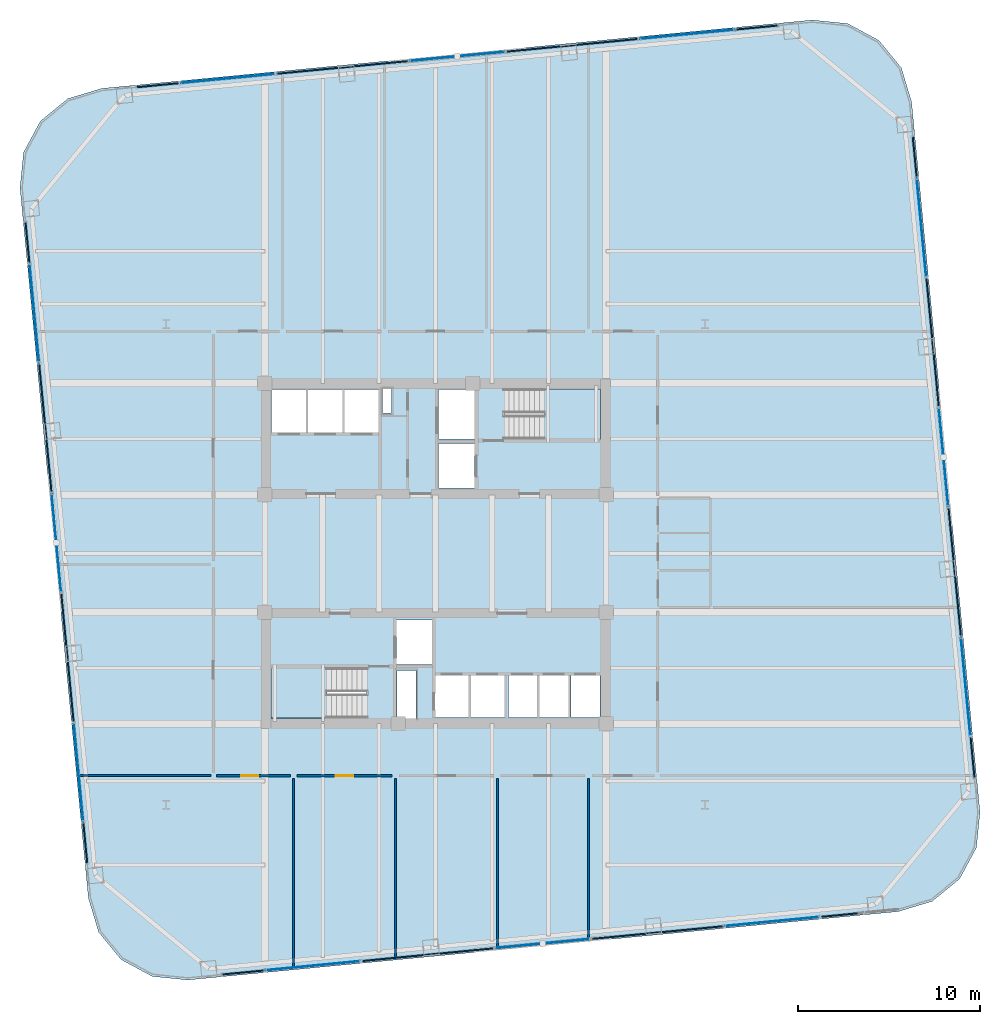
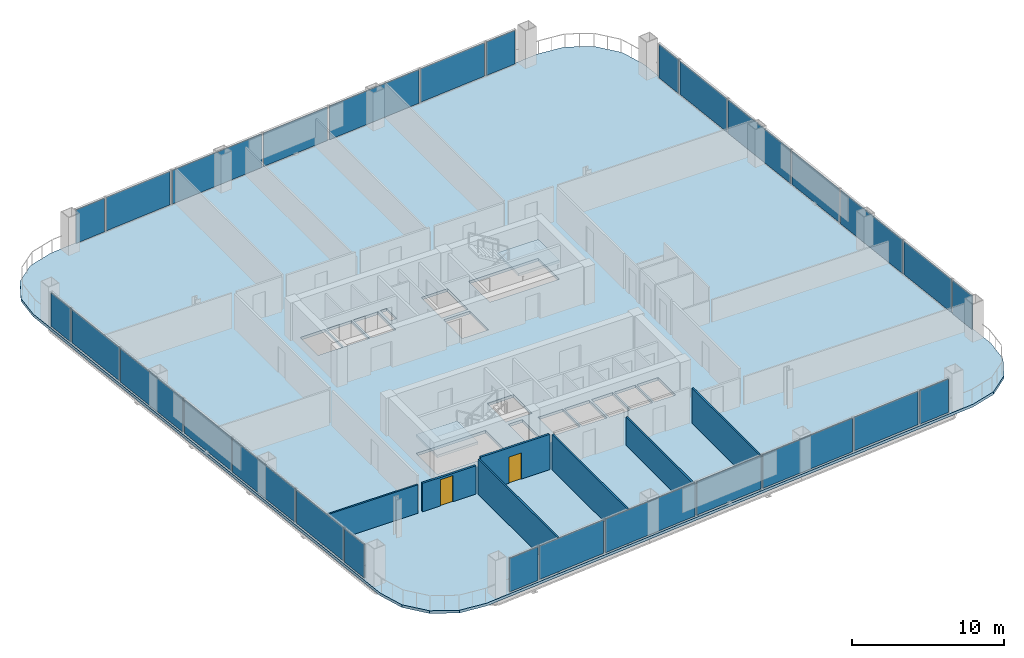
# One storey, part 21 of 27: 28 plates, 7 walls, 3 slabs, 2 doors, 2 openings, 30 elements without a shape of their own.
"""IFC4 building model written with IfcOpenShell, lengths in metres."""

from ifc_helpers import new_model, si_unit, direction, frame, frame_2d, origin, origin_2d, place, context, subcontext, project, spatial, polyline, rectangle, outline, extrude, material, layer, layer_set, type_object, element, fill, aggregate, save


model = new_model("IFC4")

# Units and contexts
model_context = context("Model", 3, precision=1e-05, world=origin(), true_north=direction((0.0, 1.0)))
body_context = subcontext(model_context, "Body", "Model", "MODEL_VIEW")
ifc_project = project(units=[si_unit("LENGTHUNIT", "METRE"), si_unit("AREAUNIT", "SQUARE_METRE"), si_unit("VOLUMEUNIT", "CUBIC_METRE"), si_unit("PLANEANGLEUNIT", "RADIAN"), si_unit("MASSUNIT", "GRAM", prefix="KILO")], contexts=[model_context])

# Site, building, storey
site_placement = place(None, origin())
site = spatial("IfcSite", under=ifc_project, at=site_placement, CompositionType="ELEMENT")
building_placement = place(site_placement, origin())
building = spatial("IfcBuilding", under=site, at=building_placement, Name="Qhalaya Broadcast Tower", CompositionType="ELEMENT")
storey_placement = place(building_placement, frame((0.0, 0.0, 84.699951171875)))
storey = spatial("IfcBuildingStorey", under=building, at=storey_placement, Name="L24", CompositionType="ELEMENT", Elevation=84.699951171875)

# Curtain wall, plate
ifc_material_1 = material(Name="Fired Architectural Terracotta", Category="masonry")
ifc_layer_1 = layer(ifc_material_1, 0.219970703125, Name="Fired Architectural Terracotta")
ifc_layer_set_1 = layer_set([ifc_layer_1], Name="Fired Architectural Terracotta")
curtain_wall_type_1 = type_object("IfcCurtainWallType", Name="Block-Cap Unitised Terracotta Spandrel Wall CW-07", PredefinedType="NOTDEFINED", material=ifc_layer_set_1)
curtain_wall_1_placement = place(storey_placement, origin())
curtain_wall_1 = element("IfcCurtainWall", 1, at=curtain_wall_1_placement, inside=storey, type_object=curtain_wall_type_1, Name="L24 Unitised Curtain Wall L24-CW-S1", PredefinedType="NOTDEFINED")
ifc_layer_2 = layer(ifc_material_1, 0.080078125, Name="Fired Architectural Terracotta")
ifc_layer_set_2 = layer_set([ifc_layer_2], Name="Fired Architectural Terracotta")
plate_type_1 = type_object("IfcPlateType", Name="Insulated Terracotta Spandrel Panel TSP-07", PredefinedType="CURTAIN_PANEL", material=ifc_layer_set_2)
plate_1_placement = place(storey_placement, frame((-10.572021484375, -22.412109375, 0.0751953125), z_axis=(0.0, 0.0, 1.0), x_axis=(0.99539620774, 0.09584565518, 0.0)))
plate_1 = element("IfcPlate", 2, at=plate_1_placement, type_object=plate_type_1, Name="CW-07 panel 1.1", PredefinedType="CURTAIN_PANEL", context=body_context, shape_type="SweptSolid", body=[
    extrude(rectangle(XDim=2.281005859375, YDim=0.080078125, at=origin_2d()), origin(), (0.0, 0.0, 1.0), 2.679931640625),
])
aggregate(curtain_wall_1, [plate_1])

curtain_wall_2_placement = place(storey_placement, origin())
curtain_wall_2 = element("IfcCurtainWall", 3, at=curtain_wall_2_placement, inside=storey, type_object=curtain_wall_type_1, Name="L24 Unitised Curtain Wall L24-CW-S3", PredefinedType="NOTDEFINED")
plate_2_placement = place(storey_placement, frame((-0.41796875, -21.434326171875, 0.0751953125), z_axis=(0.0, 0.0, 1.0), x_axis=(0.995396450907, 0.095843129762, 0.0)))
plate_2 = element("IfcPlate", 4, at=plate_2_placement, type_object=plate_type_1, Name="CW-07 panel 1.1", PredefinedType="CURTAIN_PANEL", context=body_context, shape_type="SweptSolid", body=[
    extrude(rectangle(XDim=7.2109375, YDim=0.080078125, at=origin_2d()), origin(), (0.0, 0.0, 1.0), 2.679931640625),
])
aggregate(curtain_wall_2, [plate_2])

curtain_wall_3_placement = place(storey_placement, origin())
curtain_wall_3 = element("IfcCurtainWall", 5, at=curtain_wall_3_placement, inside=storey, type_object=curtain_wall_type_1, Name="L24 Unitised Curtain Wall L24-CW-S5", PredefinedType="NOTDEFINED")
plate_3_placement = place(storey_placement, frame((12.190673828125, -20.22021484375, 0.0751953125), z_axis=(0.0, 0.0, 1.0), x_axis=(0.995396450907, 0.095843129762, 0.0)))
plate_3 = element("IfcPlate", 6, at=plate_3_placement, type_object=plate_type_1, Name="CW-07 panel 1.1", PredefinedType="CURTAIN_PANEL", context=body_context, shape_type="SweptSolid", body=[
    extrude(rectangle(XDim=7.2109375, YDim=0.080078125, at=origin_2d()), origin(), (0.0, 0.0, 1.0), 2.679931640625),
])
aggregate(curtain_wall_3, [plate_3])

curtain_wall_4_placement = place(storey_placement, origin())
curtain_wall_4 = element("IfcCurtainWall", 7, at=curtain_wall_4_placement, inside=storey, type_object=curtain_wall_type_1, Name="L24 Unitised Curtain Wall L24-CW-S7", PredefinedType="NOTDEFINED")
plate_4_placement = place(storey_placement, frame((22.3447265625, -19.242431640625, 0.0751953125), z_axis=(0.0, 0.0, 1.0), x_axis=(0.99539620774, 0.09584565518, 0.0)))
plate_4 = element("IfcPlate", 8, at=plate_4_placement, type_object=plate_type_1, Name="CW-07 panel 1.1", PredefinedType="CURTAIN_PANEL", context=body_context, shape_type="SweptSolid", body=[
    extrude(rectangle(XDim=2.281005859375, YDim=0.080078125, at=origin_2d()), origin(), (0.0, 0.0, 1.0), 2.679931640625),
])
aggregate(curtain_wall_4, [plate_4])

curtain_wall_5_placement = place(storey_placement, origin())
curtain_wall_5 = element("IfcCurtainWall", 9, at=curtain_wall_5_placement, inside=storey, type_object=curtain_wall_type_1, Name="L24 Unitised Curtain Wall L24-CW-E1", PredefinedType="NOTDEFINED")
plate_5_placement = place(storey_placement, frame((29.496337890625, -10.617431640625, 0.0751953125), z_axis=(0.0, 0.0, 1.0), x_axis=(-0.095855723819, 0.99539523819, 0.0)))
plate_5 = element("IfcPlate", 10, at=plate_5_placement, type_object=plate_type_1, Name="CW-07 panel 1.1", PredefinedType="CURTAIN_PANEL", context=body_context, shape_type="SweptSolid", body=[
    extrude(rectangle(XDim=2.18994140625, YDim=0.080078125, at=origin_2d()), origin(), (0.0, 0.0, 1.0), 2.679931640625),
])
aggregate(curtain_wall_5, [plate_5])

curtain_wall_6_placement = place(storey_placement, origin())
curtain_wall_6 = element("IfcCurtainWall", 11, at=curtain_wall_6_placement, inside=storey, type_object=curtain_wall_type_1, Name="L24 Unitised Curtain Wall L24-CW-E3", PredefinedType="NOTDEFINED")
plate_6_placement = place(storey_placement, frame((28.514404296875, -0.41796875, 0.0751953125), z_axis=(0.0, 0.0, 1.0), x_axis=(-0.095850652435, 0.995395726547, 0.0)))
plate_6 = element("IfcPlate", 12, at=plate_6_placement, type_object=plate_type_1, Name="CW-07 panel 1.1", PredefinedType="CURTAIN_PANEL", context=body_context, shape_type="SweptSolid", body=[
    extrude(rectangle(XDim=7.031005859375, YDim=0.080078125, at=origin_2d()), origin(), (0.0, 0.0, 1.0), 2.679931640625),
])
aggregate(curtain_wall_6, [plate_6])

curtain_wall_7_placement = place(storey_placement, origin())
curtain_wall_7 = element("IfcCurtainWall", 13, at=curtain_wall_7_placement, inside=storey, type_object=curtain_wall_type_1, Name="L24 Unitised Curtain Wall L24-CW-E5", PredefinedType="NOTDEFINED")
plate_7_placement = place(storey_placement, frame((27.30029296875, 12.190673828125, 0.0751953125), z_axis=(0.0, 0.0, 1.0), x_axis=(-0.095850652435, 0.995395726547, 0.0)))
plate_7 = element("IfcPlate", 14, at=plate_7_placement, type_object=plate_type_1, Name="CW-07 panel 1.1", PredefinedType="CURTAIN_PANEL", context=body_context, shape_type="SweptSolid", body=[
    extrude(rectangle(XDim=7.031005859375, YDim=0.080078125, at=origin_2d()), origin(), (0.0, 0.0, 1.0), 2.679931640625),
])
aggregate(curtain_wall_7, [plate_7])

curtain_wall_8_placement = place(storey_placement, origin())
curtain_wall_8 = element("IfcCurtainWall", 15, at=curtain_wall_8_placement, inside=storey, type_object=curtain_wall_type_1, Name="L24 Unitised Curtain Wall L24-CW-E7", PredefinedType="NOTDEFINED")
plate_8_placement = place(storey_placement, frame((26.318115234375, 22.389892578125, 0.0751953125), z_axis=(0.0, 0.0, 1.0), x_axis=(-0.09585164641, 0.995395630832, 0.0)))
plate_8 = element("IfcPlate", 16, at=plate_8_placement, type_object=plate_type_1, Name="CW-07 panel 1.1", PredefinedType="CURTAIN_PANEL", context=body_context, shape_type="SweptSolid", body=[
    extrude(rectangle(XDim=2.190185546875, YDim=0.080078125, at=origin_2d()), origin(), (0.0, 0.0, 1.0), 2.679931640625),
])
aggregate(curtain_wall_8, [plate_8])

curtain_wall_9_placement = place(storey_placement, origin())
curtain_wall_9 = element("IfcCurtainWall", 17, at=curtain_wall_9_placement, inside=storey, type_object=curtain_wall_type_1, Name="L24 Unitised Curtain Wall L24-CW-N1", PredefinedType="NOTDEFINED")
plate_9_placement = place(storey_placement, frame((17.652099609375, 29.4921875, 0.0751953125), z_axis=(0.0, 0.0, 1.0), x_axis=(-0.99539620774, -0.09584565518, 0.0)))
plate_9 = element("IfcPlate", 18, at=plate_9_placement, type_object=plate_type_1, Name="CW-07 panel 1.1", PredefinedType="CURTAIN_PANEL", context=body_context, shape_type="SweptSolid", body=[
    extrude(rectangle(XDim=2.281005859375, YDim=0.080078125, at=origin_2d()), origin(), (0.0, 0.0, 1.0), 2.679931640625),
])
aggregate(curtain_wall_9, [plate_9])

curtain_wall_10_placement = place(storey_placement, origin())
curtain_wall_10 = element("IfcCurtainWall", 19, at=curtain_wall_10_placement, inside=storey, type_object=curtain_wall_type_1, Name="L24 Unitised Curtain Wall L24-CW-N3", PredefinedType="NOTDEFINED")
plate_10_placement = place(storey_placement, frame((7.498046875, 28.514404296875, 0.0751953125), z_axis=(0.0, 0.0, 1.0), x_axis=(-0.995396450907, -0.095843129762, 0.0)))
plate_10 = element("IfcPlate", 20, at=plate_10_placement, type_object=plate_type_1, Name="CW-07 panel 1.1", PredefinedType="CURTAIN_PANEL", context=body_context, shape_type="SweptSolid", body=[
    extrude(rectangle(XDim=7.2109375, YDim=0.080078125, at=origin_2d()), origin(), (0.0, 0.0, 1.0), 2.679931640625),
])
aggregate(curtain_wall_10, [plate_10])

curtain_wall_11_placement = place(storey_placement, origin())
curtain_wall_11 = element("IfcCurtainWall", 21, at=curtain_wall_11_placement, inside=storey, type_object=curtain_wall_type_1, Name="L24 Unitised Curtain Wall L24-CW-N5", PredefinedType="NOTDEFINED")
plate_11_placement = place(storey_placement, frame((-5.110595703125, 27.30029296875, 0.0751953125), z_axis=(0.0, 0.0, 1.0), x_axis=(-0.995396450907, -0.095843129762, 0.0)))
plate_11 = element("IfcPlate", 22, at=plate_11_placement, type_object=plate_type_1, Name="CW-07 panel 1.1", PredefinedType="CURTAIN_PANEL", context=body_context, shape_type="SweptSolid", body=[
    extrude(rectangle(XDim=7.2109375, YDim=0.080078125, at=origin_2d()), origin(), (0.0, 0.0, 1.0), 2.679931640625),
])
aggregate(curtain_wall_11, [plate_11])

curtain_wall_12_placement = place(storey_placement, origin())
curtain_wall_12 = element("IfcCurtainWall", 23, at=curtain_wall_12_placement, inside=storey, type_object=curtain_wall_type_1, Name="L24 Unitised Curtain Wall L24-CW-N7", PredefinedType="NOTDEFINED")
plate_12_placement = place(storey_placement, frame((-15.2646484375, 26.322509765625, 0.0751953125), z_axis=(0.0, 0.0, 1.0), x_axis=(-0.99539620774, -0.09584565518, 0.0)))
plate_12 = element("IfcPlate", 24, at=plate_12_placement, type_object=plate_type_1, Name="CW-07 panel 1.1", PredefinedType="CURTAIN_PANEL", context=body_context, shape_type="SweptSolid", body=[
    extrude(rectangle(XDim=2.281005859375, YDim=0.080078125, at=origin_2d()), origin(), (0.0, 0.0, 1.0), 2.679931640625),
])
aggregate(curtain_wall_12, [plate_12])

curtain_wall_13_placement = place(storey_placement, origin())
curtain_wall_13 = element("IfcCurtainWall", 25, at=curtain_wall_13_placement, inside=storey, type_object=curtain_wall_type_1, Name="L24 Unitised Curtain Wall L24-CW-W1", PredefinedType="NOTDEFINED")
plate_13_placement = place(storey_placement, frame((-22.41650390625, 17.697509765625, 0.0751953125), z_axis=(0.0, 0.0, 1.0), x_axis=(0.095855723819, -0.99539523819, 0.0)))
plate_13 = element("IfcPlate", 26, at=plate_13_placement, type_object=plate_type_1, Name="CW-07 panel 1.1", PredefinedType="CURTAIN_PANEL", context=body_context, shape_type="SweptSolid", body=[
    extrude(rectangle(XDim=2.18994140625, YDim=0.080078125, at=origin_2d()), origin(), (0.0, 0.0, 1.0), 2.679931640625),
])
aggregate(curtain_wall_13, [plate_13])

curtain_wall_14_placement = place(storey_placement, origin())
curtain_wall_14 = element("IfcCurtainWall", 27, at=curtain_wall_14_placement, inside=storey, type_object=curtain_wall_type_1, Name="L24 Unitised Curtain Wall L24-CW-W3", PredefinedType="NOTDEFINED")
plate_14_placement = place(storey_placement, frame((-21.434326171875, 7.498046875, 0.0751953125), z_axis=(0.0, 0.0, 1.0), x_axis=(0.095850652435, -0.995395726547, 0.0)))
plate_14 = element("IfcPlate", 28, at=plate_14_placement, type_object=plate_type_1, Name="CW-07 panel 1.1", PredefinedType="CURTAIN_PANEL", context=body_context, shape_type="SweptSolid", body=[
    extrude(rectangle(XDim=7.031005859375, YDim=0.080078125, at=origin_2d()), origin(), (0.0, 0.0, 1.0), 2.679931640625),
])
aggregate(curtain_wall_14, [plate_14])

curtain_wall_15_placement = place(storey_placement, origin())
curtain_wall_15 = element("IfcCurtainWall", 29, at=curtain_wall_15_placement, inside=storey, type_object=curtain_wall_type_1, Name="L24 Unitised Curtain Wall L24-CW-W5", PredefinedType="NOTDEFINED")
plate_15_placement = place(storey_placement, frame((-20.22021484375, -5.110595703125, 0.0751953125), z_axis=(0.0, 0.0, 1.0), x_axis=(0.095850652435, -0.995395726547, 0.0)))
plate_15 = element("IfcPlate", 30, at=plate_15_placement, type_object=plate_type_1, Name="CW-07 panel 1.1", PredefinedType="CURTAIN_PANEL", context=body_context, shape_type="SweptSolid", body=[
    extrude(rectangle(XDim=7.031005859375, YDim=0.080078125, at=origin_2d()), origin(), (0.0, 0.0, 1.0), 2.679931640625),
])
aggregate(curtain_wall_15, [plate_15])

curtain_wall_16_placement = place(storey_placement, origin())
curtain_wall_16 = element("IfcCurtainWall", 31, at=curtain_wall_16_placement, inside=storey, type_object=curtain_wall_type_1, Name="L24 Unitised Curtain Wall L24-CW-W7", PredefinedType="NOTDEFINED")
plate_16_placement = place(storey_placement, frame((-19.238037109375, -15.31005859375, 0.0751953125), z_axis=(0.0, 0.0, 1.0), x_axis=(0.09585164641, -0.995395630832, 0.0)))
plate_16 = element("IfcPlate", 32, at=plate_16_placement, type_object=plate_type_1, Name="CW-07 panel 1.1", PredefinedType="CURTAIN_PANEL", context=body_context, shape_type="SweptSolid", body=[
    extrude(rectangle(XDim=2.190185546875, YDim=0.080078125, at=origin_2d()), origin(), (0.0, 0.0, 1.0), 2.679931640625),
])
aggregate(curtain_wall_16, [plate_16])

ifc_material_2 = material(Name="Solar-Control Low-E Triple Glazing", Category="glass")
ifc_layer_3 = layer(ifc_material_2, 0.219970703125, Name="Solar-Control Low-E Triple Glazing")
ifc_layer_set_3 = layer_set([ifc_layer_3], Name="Solar-Control Low-E Triple Glazing")
curtain_wall_type_2 = type_object("IfcCurtainWallType", Name="Even-Block 4-Storey Double-Module Curtain Wall CW-03", PredefinedType="NOTDEFINED", material=ifc_layer_set_3)
curtain_wall_17_placement = place(storey_placement, origin())
curtain_wall_17 = element("IfcCurtainWall", 33, at=curtain_wall_17_placement, inside=storey, type_object=curtain_wall_type_2, Name="L24 Unitised Curtain Wall L24-CW-S2", PredefinedType="NOTDEFINED")
ifc_layer_4 = layer(ifc_material_2, 0.035888671875, Name="Solar-Control Low-E Triple Glazing")
ifc_layer_set_4 = layer_set([ifc_layer_4], Name="Solar-Control Low-E Triple Glazing")
plate_type_2 = type_object("IfcPlateType", Name="Solar-Control Curtain Glazing Panel GLP-03", PredefinedType="CURTAIN_PANEL", material=ifc_layer_set_4)
plate_17_placement = place(storey_placement, frame((-6.721923828125, -22.041259765625, 0.0751953125), z_axis=(0.0, 0.0, 1.0), x_axis=(0.995395549991, 0.095852485923, 0.0)))
plate_17 = element("IfcPlate", 34, at=plate_17_placement, type_object=plate_type_2, Name="CW-03 panel 1.1", PredefinedType="CURTAIN_PANEL", context=body_context, shape_type="SweptSolid", body=[
    extrude(rectangle(XDim=5.155029296875, YDim=0.035888671875, at=origin_2d()), origin(), (0.0, 0.0, 1.0), 2.679931640625),
])
aggregate(curtain_wall_17, [plate_17])

curtain_wall_18_placement = place(storey_placement, origin())
curtain_wall_18 = element("IfcCurtainWall", 35, at=curtain_wall_18_placement, inside=storey, type_object=curtain_wall_type_2, Name="L24 Unitised Curtain Wall L24-CW-S4", PredefinedType="NOTDEFINED")
plate_18_placement = place(storey_placement, frame((5.88623046875, -20.827392578125, 0.0751953125), z_axis=(0.0, 0.0, 1.0), x_axis=(0.995395483385, 0.095853177608, 0.0)))
plate_18 = element("IfcPlate", 36, at=plate_18_placement, type_object=plate_type_2, Name="CW-03 panel 1.1", PredefinedType="CURTAIN_PANEL", context=body_context, shape_type="SweptSolid", body=[
    extrude(rectangle(XDim=5.156005859375, YDim=0.035888671875, at=origin_2d()), origin(), (0.0, 0.0, 1.0), 2.679931640625),
])
aggregate(curtain_wall_18, [plate_18])

curtain_wall_19_placement = place(storey_placement, origin())
curtain_wall_19 = element("IfcCurtainWall", 37, at=curtain_wall_19_placement, inside=storey, type_object=curtain_wall_type_2, Name="L24 Unitised Curtain Wall L24-CW-S6", PredefinedType="NOTDEFINED")
plate_19_placement = place(storey_placement, frame((18.494384765625, -19.61328125, 0.0751953125), z_axis=(0.0, 0.0, 1.0), x_axis=(0.995395549991, 0.095852485923, 0.0)))
plate_19 = element("IfcPlate", 38, at=plate_19_placement, type_object=plate_type_2, Name="CW-03 panel 1.1", PredefinedType="CURTAIN_PANEL", context=body_context, shape_type="SweptSolid", body=[
    extrude(rectangle(XDim=5.155029296875, YDim=0.035888671875, at=origin_2d()), origin(), (0.0, 0.0, 1.0), 2.679931640625),
])
aggregate(curtain_wall_19, [plate_19])

curtain_wall_20_placement = place(storey_placement, origin())
curtain_wall_20 = element("IfcCurtainWall", 39, at=curtain_wall_20_placement, inside=storey, type_object=curtain_wall_type_2, Name="L24 Unitised Curtain Wall L24-CW-E2", PredefinedType="NOTDEFINED")
plate_20_placement = place(storey_placement, frame((29.121337890625, -6.722412109375, 0.0751953125), z_axis=(0.0, 0.0, 1.0), x_axis=(-0.095843001098, 0.995396463295, 0.0)))
plate_20 = element("IfcPlate", 40, at=plate_20_placement, type_object=plate_type_2, Name="CW-03 panel 1.1", PredefinedType="CURTAIN_PANEL", context=body_context, shape_type="SweptSolid", body=[
    extrude(rectangle(XDim=5.3359375, YDim=0.035888671875, at=origin_2d()), origin(), (0.0, 0.0, 1.0), 2.679931640625),
])
aggregate(curtain_wall_20, [plate_20])

curtain_wall_21_placement = place(storey_placement, origin())
curtain_wall_21 = element("IfcCurtainWall", 41, at=curtain_wall_21_placement, inside=storey, type_object=curtain_wall_type_2, Name="L24 Unitised Curtain Wall L24-CW-E4", PredefinedType="NOTDEFINED")
plate_21_placement = place(storey_placement, frame((27.9072265625, 5.88623046875, 0.0751953125), z_axis=(0.0, 0.0, 1.0), x_axis=(-0.095843001098, 0.995396463295, 0.0)))
plate_21 = element("IfcPlate", 42, at=plate_21_placement, type_object=plate_type_2, Name="CW-03 panel 1.1", PredefinedType="CURTAIN_PANEL", context=body_context, shape_type="SweptSolid", body=[
    extrude(rectangle(XDim=5.3359375, YDim=0.035888671875, at=origin_2d()), origin(), (0.0, 0.0, 1.0), 2.679931640625),
])
aggregate(curtain_wall_21, [plate_21])

curtain_wall_22_placement = place(storey_placement, origin())
curtain_wall_22 = element("IfcCurtainWall", 43, at=curtain_wall_22_placement, inside=storey, type_object=curtain_wall_type_2, Name="L24 Unitised Curtain Wall L24-CW-E6", PredefinedType="NOTDEFINED")
plate_22_placement = place(storey_placement, frame((26.693115234375, 18.494873046875, 0.0751953125), z_axis=(0.0, 0.0, 1.0), x_axis=(-0.095844740112, 0.99539629585, 0.0)))
plate_22 = element("IfcPlate", 44, at=plate_22_placement, type_object=plate_type_2, Name="CW-03 panel 1.1", PredefinedType="CURTAIN_PANEL", context=body_context, shape_type="SweptSolid", body=[
    extrude(rectangle(XDim=5.3359375, YDim=0.035888671875, at=origin_2d()), origin(), (0.0, 0.0, 1.0), 2.679931640625),
])
aggregate(curtain_wall_22, [plate_22])

curtain_wall_23_placement = place(storey_placement, origin())
curtain_wall_23 = element("IfcCurtainWall", 45, at=curtain_wall_23_placement, inside=storey, type_object=curtain_wall_type_2, Name="L24 Unitised Curtain Wall L24-CW-N2", PredefinedType="NOTDEFINED")
plate_23_placement = place(storey_placement, frame((13.802001953125, 29.121337890625, 0.0751953125), z_axis=(0.0, 0.0, 1.0), x_axis=(-0.995395549991, -0.095852485923, 0.0)))
plate_23 = element("IfcPlate", 46, at=plate_23_placement, type_object=plate_type_2, Name="CW-03 panel 1.1", PredefinedType="CURTAIN_PANEL", context=body_context, shape_type="SweptSolid", body=[
    extrude(rectangle(XDim=5.155029296875, YDim=0.035888671875, at=origin_2d()), origin(), (0.0, 0.0, 1.0), 2.679931640625),
])
aggregate(curtain_wall_23, [plate_23])

curtain_wall_24_placement = place(storey_placement, origin())
curtain_wall_24 = element("IfcCurtainWall", 47, at=curtain_wall_24_placement, inside=storey, type_object=curtain_wall_type_2, Name="L24 Unitised Curtain Wall L24-CW-N4", PredefinedType="NOTDEFINED")
plate_24_placement = place(storey_placement, frame((1.193603515625, 27.9072265625, 0.0751953125), z_axis=(0.0, 0.0, 1.0), x_axis=(-0.995395483385, -0.095853177608, 0.0)))
plate_24 = element("IfcPlate", 48, at=plate_24_placement, type_object=plate_type_2, Name="CW-03 panel 1.1", PredefinedType="CURTAIN_PANEL", context=body_context, shape_type="SweptSolid", body=[
    extrude(rectangle(XDim=5.156005859375, YDim=0.035888671875, at=origin_2d()), origin(), (0.0, 0.0, 1.0), 2.679931640625),
])
aggregate(curtain_wall_24, [plate_24])

curtain_wall_25_placement = place(storey_placement, origin())
curtain_wall_25 = element("IfcCurtainWall", 49, at=curtain_wall_25_placement, inside=storey, type_object=curtain_wall_type_2, Name="L24 Unitised Curtain Wall L24-CW-N6", PredefinedType="NOTDEFINED")
plate_25_placement = place(storey_placement, frame((-11.41455078125, 26.693359375, 0.0751953125), z_axis=(0.0, 0.0, 1.0), x_axis=(-0.995395549991, -0.095852485923, 0.0)))
plate_25 = element("IfcPlate", 50, at=plate_25_placement, type_object=plate_type_2, Name="CW-03 panel 1.1", PredefinedType="CURTAIN_PANEL", context=body_context, shape_type="SweptSolid", body=[
    extrude(rectangle(XDim=5.155029296875, YDim=0.035888671875, at=origin_2d()), origin(), (0.0, 0.0, 1.0), 2.679931640625),
])
aggregate(curtain_wall_25, [plate_25])

curtain_wall_26_placement = place(storey_placement, origin())
curtain_wall_26 = element("IfcCurtainWall", 51, at=curtain_wall_26_placement, inside=storey, type_object=curtain_wall_type_2, Name="L24 Unitised Curtain Wall L24-CW-W2", PredefinedType="NOTDEFINED")
plate_26_placement = place(storey_placement, frame((-22.04150390625, 13.802490234375, 0.0751953125), z_axis=(0.0, 0.0, 1.0), x_axis=(0.095843001098, -0.995396463295, 0.0)))
plate_26 = element("IfcPlate", 52, at=plate_26_placement, type_object=plate_type_2, Name="CW-03 panel 1.1", PredefinedType="CURTAIN_PANEL", context=body_context, shape_type="SweptSolid", body=[
    extrude(rectangle(XDim=5.3359375, YDim=0.035888671875, at=origin_2d()), origin(), (0.0, 0.0, 1.0), 2.679931640625),
])
aggregate(curtain_wall_26, [plate_26])

curtain_wall_27_placement = place(storey_placement, origin())
curtain_wall_27 = element("IfcCurtainWall", 53, at=curtain_wall_27_placement, inside=storey, type_object=curtain_wall_type_2, Name="L24 Unitised Curtain Wall L24-CW-W4", PredefinedType="NOTDEFINED")
plate_27_placement = place(storey_placement, frame((-20.827392578125, 1.193603515625, 0.0751953125), z_axis=(0.0, 0.0, 1.0), x_axis=(0.095843001098, -0.995396463295, 0.0)))
plate_27 = element("IfcPlate", 54, at=plate_27_placement, type_object=plate_type_2, Name="CW-03 panel 1.1", PredefinedType="CURTAIN_PANEL", context=body_context, shape_type="SweptSolid", body=[
    extrude(rectangle(XDim=5.3359375, YDim=0.035888671875, at=origin_2d()), origin(), (0.0, 0.0, 1.0), 2.679931640625),
])
aggregate(curtain_wall_27, [plate_27])

curtain_wall_28_placement = place(storey_placement, origin())
curtain_wall_28 = element("IfcCurtainWall", 55, at=curtain_wall_28_placement, inside=storey, type_object=curtain_wall_type_2, Name="L24 Unitised Curtain Wall L24-CW-W6", PredefinedType="NOTDEFINED")
plate_28_placement = place(storey_placement, frame((-19.61328125, -11.4150390625, 0.0751953125), z_axis=(0.0, 0.0, 1.0), x_axis=(0.095844740112, -0.99539629585, 0.0)))
plate_28 = element("IfcPlate", 56, at=plate_28_placement, type_object=plate_type_2, Name="CW-03 panel 1.1", PredefinedType="CURTAIN_PANEL", context=body_context, shape_type="SweptSolid", body=[
    extrude(rectangle(XDim=5.3359375, YDim=0.035888671875, at=origin_2d()), origin(), (0.0, 0.0, 1.0), 2.679931640625),
])
aggregate(curtain_wall_28, [plate_28])

# Stair, slab
ifc_material_3 = material(Name="Concrete C40/50", Category="concrete")
stair_type = type_object("IfcStairType", Name="Protected Dogleg Core Stair 3150", PredefinedType="TWO_STRAIGHT_RUN_STAIR", material=ifc_material_3)
stair_1_placement = place(storey_placement, origin())
stair_1 = element("IfcStair", 57, at=stair_1_placement, inside=storey, type_object=stair_type, Name="L24 North Core Exit Stair ST-1", PredefinedType="TWO_STRAIGHT_RUN_STAIR")
ifc_layer_5 = layer(ifc_material_3, 0.199951171875, Name="Concrete C40/50")
ifc_layer_set_5 = layer_set([ifc_layer_5], Name="Concrete C40/50")
slab_type_1 = type_object("IfcSlabType", Name="Stair & Ramp Half-Landing Slab 200", PredefinedType="LANDING", material=ifc_layer_set_5)
slab_1_placement = place(storey_placement, frame((0.0, 0.0, 1.324951171875)))
slab_1 = element("IfcSlab", 58, at=slab_1_placement, type_object=slab_type_1, Name="ST-1 landing 1", PredefinedType="LANDING", context=body_context, shape_type="SweptSolid", body=[
    extrude(outline(polyline([(5.955078125, 6.8798828125), (9.050048828125, 6.8798828125), (9.050048828125, 9.639892578125), (5.955078125, 9.639892578125), (5.955078125, 6.8798828125)])), origin(), (0.0, 0.0, 1.0), 0.2001953125),
])
aggregate(stair_1, [slab_1])

stair_2_placement = place(storey_placement, origin())
stair_2 = element("IfcStair", 59, at=stair_2_placement, inside=storey, type_object=stair_type, Name="L24 South Core Exit Stair ST-2", PredefinedType="TWO_STRAIGHT_RUN_STAIR")
slab_2_placement = place(storey_placement, frame((0.0, 0.0, 1.324951171875)))
slab_2 = element("IfcSlab", 60, at=slab_2_placement, type_object=slab_type_1, Name="ST-2 landing 1", PredefinedType="LANDING", context=body_context, shape_type="SweptSolid", body=[
    extrude(outline(polyline([(-5.955078125, -5.679931640625), (-9.050048828125, -5.679931640625), (-9.050048828125, -8.43994140625), (-5.955078125, -8.43994140625), (-5.955078125, -5.679931640625)])), origin(), (0.0, 0.0, 1.0), 0.2001953125),
])
aggregate(stair_2, [slab_2])

# Slab
ifc_layer_6 = layer(ifc_material_3, 0.219970703125, Name="Concrete C40/50")
ifc_layer_set_6 = layer_set([ifc_layer_6], Name="Concrete C40/50")
slab_type_2 = type_object("IfcSlabType", Name="Tower Composite Floor Slab 220", PredefinedType="FLOOR", material=ifc_layer_set_6)
slab_3_placement = place(storey_placement, frame((0.0, 0.0, -0.219970703125)))
element("IfcSlab", 61, at=slab_3_placement, inside=storey, type_object=slab_type_2, Name="L24 Main Structural Floor Slab", PredefinedType="FLOOR", context=body_context, shape_type="SweptSolid", body=[
    extrude(outline(polyline([(25.40771484375, -19.068115234375), (27.275634765625, -18.505859375), (28.78662109375, -17.271484375), (29.7099609375, -15.552978515625), (29.9052734375, -13.612060546875), (26.148193359375, 25.40771484375), (25.5859375, 27.275634765625), (24.3515625, 28.78662109375), (22.633056640625, 29.7099609375), (20.69189453125, 29.9052734375), (-18.32763671875, 26.148193359375), (-20.19580078125, 25.5859375), (-21.70654296875, 24.3515625), (-22.6298828125, 22.633056640625), (-22.8251953125, 20.69189453125), (-19.068115234375, -18.32763671875), (-18.505859375, -20.19580078125), (-17.271484375, -21.70654296875), (-15.552978515625, -22.6298828125), (-13.612060546875, -22.8251953125), (25.40771484375, -19.068115234375)]), holes=[polyline([(3.784912109375, 9.639892578125), (9.050048828125, 9.639892578125), (9.050048828125, 6.8798828125), (3.784912109375, 6.8798828125), (3.784912109375, 9.639892578125)]), polyline([(-3.784912109375, -8.43994140625), (-9.050048828125, -8.43994140625), (-9.050048828125, -5.679931640625), (-3.784912109375, -5.679931640625), (-3.784912109375, -8.43994140625)]), polyline([(0.14990234375, 6.64990234375), (2.14990234375, 6.64990234375), (2.14990234375, 4.199951171875), (0.14990234375, 4.199951171875), (0.14990234375, 6.64990234375)]), polyline([(0.14990234375, 9.60009765625), (2.14990234375, 9.60009765625), (2.14990234375, 6.89990234375), (0.14990234375, 6.89990234375), (0.14990234375, 9.60009765625)]), polyline([(-2.14990234375, -3.050048828125), (-0.14990234375, -3.050048828125), (-0.14990234375, -5.5), (-2.14990234375, -5.5), (-2.14990234375, -3.050048828125)]), polyline([(-9.0, 9.60009765625), (-7.1201171875, 9.60009765625), (-7.1201171875, 7.25), (-9.0, 7.25), (-9.0, 9.60009765625)]), polyline([(-7.0, 9.60009765625), (-5.1201171875, 9.60009765625), (-5.1201171875, 7.25), (-7.0, 7.25), (-7.0, 9.60009765625)]), polyline([(-5.0, 9.60009765625), (-3.1201171875, 9.60009765625), (-3.1201171875, 7.25), (-5.0, 7.25), (-5.0, 9.60009765625)]), polyline([(-0.050048828125, -6.10009765625), (1.830078125, -6.10009765625), (1.830078125, -8.39990234375), (-0.050048828125, -8.39990234375), (-0.050048828125, -6.10009765625)]), polyline([(1.949951171875, -6.10009765625), (3.830078125, -6.10009765625), (3.830078125, -8.39990234375), (1.949951171875, -8.39990234375), (1.949951171875, -6.10009765625)]), polyline([(4.0, -6.10009765625), (5.60009765625, -6.10009765625), (5.60009765625, -8.39990234375), (4.0, -8.39990234375), (4.0, -6.10009765625)]), polyline([(5.719970703125, -6.10009765625), (7.320068359375, -6.10009765625), (7.320068359375, -8.39990234375), (5.719970703125, -8.39990234375), (5.719970703125, -6.10009765625)]), polyline([(7.43994140625, -6.10009765625), (9.0400390625, -6.10009765625), (9.0400390625, -8.39990234375), (7.43994140625, -8.39990234375), (7.43994140625, -6.10009765625)]), polyline([(-2.919921875, 9.659912109375), (-2.419921875, 9.659912109375), (-2.419921875, 8.320068359375), (-2.919921875, 8.320068359375), (-2.919921875, 9.659912109375)]), polyline([(-2.1201171875, -5.820068359375), (-1.080078125, -5.820068359375), (-1.080078125, -8.4599609375), (-2.1201171875, -8.4599609375), (-2.1201171875, -5.820068359375)])]), origin(), (0.0, 0.0, 1.0), 0.219970703125),
])

# Wall, opening, door
ifc_material_4 = material(Name="Gypsum Acoustic Partition")
ifc_layer_7 = layer(ifc_material_4, 0.14990234375, Name="Gypsum Acoustic Partition")
ifc_layer_set_7 = layer_set([ifc_layer_7], Name="Gypsum Acoustic Partition")
wall_type_1 = type_object("IfcWallType", Name="Corridor & Tenancy Acoustic Partition 150", PredefinedType="PARTITIONING", material=ifc_layer_set_7)
wall_1_placement = place(storey_placement, frame((-12.02001953125, -11.60009765625, 0.0), z_axis=(0.0, 0.0, 1.0), x_axis=(1.0, 0.0, 0.0)))
wall_1 = element("IfcWall", 62, at=wall_1_placement, inside=storey, type_object=wall_type_1, Name="L24 Partition Wall W-COR-06", PredefinedType="PARTITIONING", context=body_context, shape_type="SweptSolid", body=[
    extrude(rectangle(XDim=4.0400390625, YDim=0.14990234375, at=frame_2d((2.02001953125, 0.0))), origin(), (0.0, 0.0, 1.0), 2.274169921875),
])
opening_1_placement = place(wall_1_placement, frame((1.344970703125, 0.0, 0.0)))
opening_1 = element("IfcOpeningElement", 63, at=opening_1_placement, cuts=wall_1, Name="Opening D10", PredefinedType="OPENING", context=body_context, shape_type="SweptSolid", body=[
    extrude(rectangle(XDim=0.949951171875, YDim=2.10009765625, at=frame_2d((0.47509765625, 1.050048828125))), frame((0.0, 0.0869140625, 0.0), z_axis=(0.0, -1.0, 0.0), x_axis=(1.0, 0.0, 0.0)), (0.0, 0.0, 1.0), 0.173828125),
])
ifc_material_5 = material(Name="Timber Veneer Acoustic Door", Category="wood")
door_type = type_object("IfcDoorType", Name="Cellular Office & Edit Booth Door D10", OperationType="NOTDEFINED", PredefinedType="DOOR", material=ifc_material_5)
door_1_placement = place(opening_1_placement, origin())
door_1 = element("IfcDoor", 64, at=door_1_placement, inside=storey, type_object=door_type, Name="L24 Door D-RM06", OperationType="SINGLE_SWING_LEFT", OverallHeight=2.10009765625, OverallWidth=0.949951171875, PredefinedType="DOOR", context=body_context, shape_type="SweptSolid", body=[
    extrude(rectangle(XDim=0.949951171875, YDim=2.10009765625, at=frame_2d((0.47509765625, 1.050048828125))), frame((0.0, 0.02490234375, 0.0), z_axis=(0.0, -1.0, 0.0), x_axis=(1.0, 0.0, 0.0)), (0.0, 0.0, 1.0), 0.050048828125),
])
fill(opening_1, door_1)

wall_2_placement = place(storey_placement, frame((-7.6201171875, -11.60009765625, 0.0), z_axis=(0.0, 0.0, 1.0), x_axis=(1.0, 0.0, 0.0)))
wall_2 = element("IfcWall", 65, at=wall_2_placement, inside=storey, type_object=wall_type_1, Name="L24 Partition Wall W-COR-07", PredefinedType="PARTITIONING", context=body_context, shape_type="SweptSolid", body=[
    extrude(rectangle(XDim=5.240234375, YDim=0.14990234375, at=frame_2d((2.6201171875, 0.0))), origin(), (0.0, 0.0, 1.0), 2.830078125),
])
opening_2_placement = place(wall_2_placement, frame((2.14501953125, 0.0, 0.0)))
opening_2 = element("IfcOpeningElement", 66, at=opening_2_placement, cuts=wall_2, Name="Opening D10", PredefinedType="OPENING", context=body_context, shape_type="SweptSolid", body=[
    extrude(rectangle(XDim=0.949951171875, YDim=2.10009765625, at=frame_2d((0.47509765625, 1.050048828125))), frame((0.0, 0.0869140625, 0.0), z_axis=(0.0, -1.0, 0.0), x_axis=(1.0, 0.0, 0.0)), (0.0, 0.0, 1.0), 0.173828125),
])
door_2_placement = place(opening_2_placement, origin())
door_2 = element("IfcDoor", 67, at=door_2_placement, inside=storey, type_object=door_type, Name="L24 Door D-RM07", OperationType="SINGLE_SWING_RIGHT", OverallHeight=2.10009765625, OverallWidth=0.949951171875, PredefinedType="DOOR", context=body_context, shape_type="SweptSolid", body=[
    extrude(rectangle(XDim=0.949951171875, YDim=2.10009765625, at=frame_2d((0.47509765625, 1.050048828125))), frame((0.0, 0.02490234375, 0.0), z_axis=(0.0, -1.0, 0.0), x_axis=(1.0, 0.0, 0.0)), (0.0, 0.0, 1.0), 0.050048828125),
])
fill(opening_2, door_2)

# Walls
ifc_layer_8 = layer(ifc_material_4, 0.1201171875, Name="Gypsum Acoustic Partition")
ifc_layer_set_8 = layer_set([ifc_layer_8], Name="Gypsum Acoustic Partition")
wall_type_2 = type_object("IfcWallType", Name="Office, Booth & Sanitary Partition 120", PredefinedType="PARTITIONING", material=ifc_layer_set_8)
wall_3_placement = place(storey_placement, frame((-19.595458984375, -11.60009765625, 0.0), z_axis=(0.0, 0.0, 1.0), x_axis=(1.0, 0.0, 0.0)))
element("IfcWall", 68, at=wall_3_placement, inside=storey, type_object=wall_type_2, Name="L24 Partition Wall W-BNDW2", PredefinedType="PARTITIONING", context=body_context, shape_type="SweptSolid", body=[
    extrude(rectangle(XDim=7.25537109375, YDim=0.1201171875, at=frame_2d((3.627685546875, 0.0))), origin(), (0.0, 0.0, 1.0), 2.274169921875),
])
wall_4_placement = place(storey_placement, frame((-7.800048828125, -22.14501953125, 0.0), z_axis=(0.0, 0.0, 1.0), x_axis=(0.0, 1.0, 0.0)))
element("IfcWall", 69, at=wall_4_placement, inside=storey, type_object=wall_type_2, Name="L24 Partition Wall W-DIVS1", PredefinedType="PARTITIONING", context=body_context, shape_type="SweptSolid", body=[
    extrude(rectangle(XDim=10.385009765625, YDim=0.1201171875, at=frame_2d((5.1923828125, 0.0))), origin(), (0.0, 0.0, 1.0), 2.830078125),
])
wall_5_placement = place(storey_placement, frame((-2.199951171875, -21.60595703125, 0.0), z_axis=(0.0, 0.0, 1.0), x_axis=(0.0, 1.0, 0.0)))
element("IfcWall", 70, at=wall_5_placement, inside=storey, type_object=wall_type_2, Name="L24 Partition Wall W-DIVS2", PredefinedType="PARTITIONING", context=body_context, shape_type="SweptSolid", body=[
    extrude(rectangle(XDim=9.845947265625, YDim=0.1201171875, at=frame_2d((4.9228515625, 0.0))), origin(), (0.0, 0.0, 1.0), 2.830078125),
])
wall_6_placement = place(storey_placement, frame((3.39990234375, -21.066650390625, 0.0), z_axis=(0.0, 0.0, 1.0), x_axis=(0.0, 1.0, 0.0)))
element("IfcWall", 71, at=wall_6_placement, inside=storey, type_object=wall_type_2, Name="L24 Partition Wall W-DIVS3", PredefinedType="PARTITIONING", context=body_context, shape_type="SweptSolid", body=[
    extrude(rectangle(XDim=9.306640625, YDim=0.1201171875, at=frame_2d((4.6533203125, 0.0))), origin(), (0.0, 0.0, 1.0), 2.274169921875),
])
wall_7_placement = place(storey_placement, frame((8.39990234375, -20.585205078125, 0.0), z_axis=(0.0, 0.0, 1.0), x_axis=(0.0, 1.0, 0.0)))
element("IfcWall", 72, at=wall_7_placement, inside=storey, type_object=wall_type_2, Name="L24 Partition Wall W-DIVS4", PredefinedType="PARTITIONING", context=body_context, shape_type="SweptSolid", body=[
    extrude(rectangle(XDim=8.8251953125, YDim=0.1201171875, at=frame_2d((4.41259765625, 0.0))), origin(), (0.0, 0.0, 1.0), 2.830078125),
])

save(model, "model.ifc")
